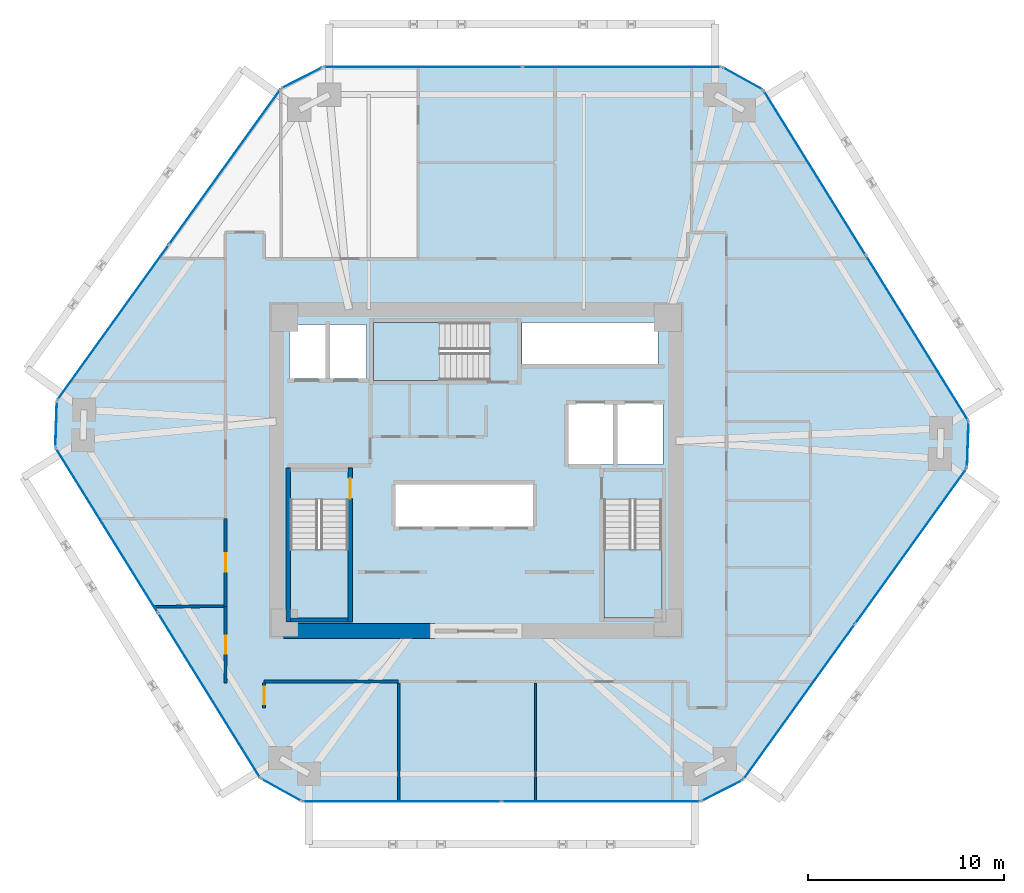
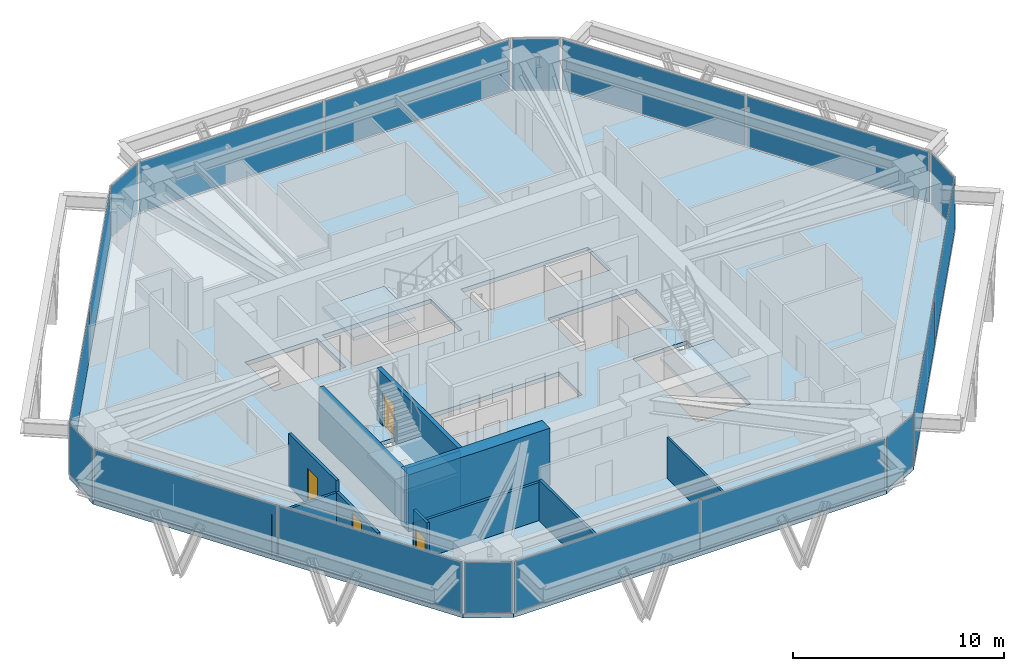
# One storey, part 9 of 14: 18 plates, 11 walls, 4 doors, 4 slabs, 4 openings, 15 elements without a shape of their own.
"""IFC4 building model written with IfcOpenShell, lengths in metres."""

from ifc_helpers import new_model, si_unit, direction, frame, frame_2d, origin, origin_2d, place, context, subcontext, project, spatial, polyline, rectangle, outline, extrude, source, transform, mapped, material, layer, layer_set, type_object, type_shapes, element, fill, aggregate, save


model = new_model("IFC4")

# Units and contexts
model_context = context("Model", 3, precision=1e-05, world=origin(), true_north=direction((0.0, 1.0)))
body_context = subcontext(model_context, "Body", "Model", "MODEL_VIEW")
ifc_project = project(units=[si_unit("LENGTHUNIT", "METRE"), si_unit("AREAUNIT", "SQUARE_METRE"), si_unit("VOLUMEUNIT", "CUBIC_METRE"), si_unit("PLANEANGLEUNIT", "RADIAN"), si_unit("MASSUNIT", "GRAM", prefix="KILO")], contexts=[model_context])

# Site, building, storey
site_placement = place(None, origin())
site = spatial("IfcSite", under=ifc_project, at=site_placement, CompositionType="ELEMENT")
building_placement = place(site_placement, origin())
building = spatial("IfcBuilding", under=site, at=building_placement, Name="Durnholm Broadcast Tower", CompositionType="ELEMENT")
storey_placement = place(building_placement, frame((0.0, 0.0, 107.39990234375)))
storey = spatial("IfcBuildingStorey", under=building, at=storey_placement, Name="L28", CompositionType="ELEMENT", Elevation=107.39990234375)

# Slab
ifc_material_1 = material(Name="Concrete C50/60", Category="concrete")
ifc_layer_1 = layer(ifc_material_1, 0.239990234375)
ifc_layer_set_1 = layer_set([ifc_layer_1], Name="Concrete C50/60")
slab_type_1 = type_object("IfcSlabType", Name="SLAB-FLR-240", PredefinedType="FLOOR", material=ifc_layer_set_1)
slab_1_placement = place(storey_placement, frame((0.0, 0.0, -0.239990234375)))
element("IfcSlab", 1, at=slab_1_placement, inside=storey, type_object=slab_type_1, Name="L28 structural floor slab", PredefinedType="FLOOR", context=body_context, shape_type="SweptSolid", body=[
    extrude(outline(polyline([(-11.012451171875, -15.77001953125), (-8.915283203125, -16.93701171875), (11.51416015625, -16.93701171875), (13.649658203125, -15.841796875), (25.11279296875, 0.114990234375), (25.1943359375, 2.513671875), (14.6904296875, 19.447998046875), (12.59326171875, 20.614990234375), (-7.836181640625, 20.614990234375), (-9.9716796875, 19.519775390625), (-21.434814453125, 3.56298828125), (-21.516357421875, 1.164306640625), (-11.012451171875, -15.77001953125)]), holes=[polyline([(-6.5400390625, -1.5), (-9.5, -1.5), (-9.5, -7.550048828125), (-6.5400390625, -7.550048828125), (-6.5400390625, -1.5)]), polyline([(9.5, -7.550048828125), (9.5, -1.5), (6.5400390625, -1.5), (6.5400390625, -7.550048828125), (9.5, -7.550048828125)]), polyline([(2.949951171875, -0.699951171875), (-4.14990234375, -0.699951171875), (-4.14990234375, -2.89990234375), (2.949951171875, -2.89990234375), (2.949951171875, -0.699951171875)]), polyline([(9.550048828125, 3.39990234375), (4.699951171875, 3.39990234375), (4.699951171875, 0.300048828125), (9.550048828125, 0.300048828125), (9.550048828125, 3.39990234375)]), polyline([(-5.60009765625, 7.449951171875), (-9.550048828125, 7.449951171875), (-9.550048828125, 4.699951171875), (-5.60009765625, 4.699951171875), (-5.60009765625, 7.449951171875)]), polyline([(-5.25, 4.60009765625), (0.699951171875, 4.60009765625), (0.699951171875, 7.56005859375), (-5.25, 7.56005859375), (-5.25, 4.60009765625)]), polyline([(9.31005859375, 7.550048828125), (2.35009765625, 7.550048828125), (2.35009765625, 5.39990234375), (9.31005859375, 5.39990234375), (9.31005859375, 7.550048828125)])]), origin(), (0.0, 0.0, 1.0), 0.239990234375),
])

# Stair, slab
stair_type = type_object("IfcStairType", Name="STAIR-DL-20R1650", PredefinedType="HALF_TURN_STAIR", material=ifc_material_1)
stair_1_placement = place(storey_placement, origin())
stair_1 = element("IfcStair", 2, at=stair_1_placement, inside=storey, type_object=stair_type, Name="L28 ST-1", PredefinedType="HALF_TURN_STAIR")
ifc_layer_2 = layer(ifc_material_1, 0.199951171875)
ifc_layer_set_2 = layer_set([ifc_layer_2], Name="Concrete C50/60")
slab_type_2 = type_object("IfcSlabType", Name="SLAB-LND-200", PredefinedType="LANDING", material=ifc_layer_set_2)
slab_2_placement = place(storey_placement, frame((0.0, 0.0, 1.4501953125)))
slab_2 = element("IfcSlab", 3, at=slab_2_placement, type_object=slab_type_2, Name="ST-1 landing 1", PredefinedType="LANDING", context=body_context, shape_type="SweptSolid", body=[
    extrude(outline(polyline([(-9.5, -4.06494140625), (-9.5, -7.550048828125), (-6.5400390625, -7.550048828125), (-6.5400390625, -4.06494140625), (-9.5, -4.06494140625)])), origin(), (0.0, 0.0, 1.0), 0.199951171875),
])
aggregate(stair_1, [slab_2])

stair_2_placement = place(storey_placement, origin())
stair_2 = element("IfcStair", 4, at=stair_2_placement, inside=storey, type_object=stair_type, Name="L28 ST-2", PredefinedType="HALF_TURN_STAIR")
slab_3_placement = place(storey_placement, frame((0.0, 0.0, 1.4501953125)))
slab_3 = element("IfcSlab", 5, at=slab_3_placement, type_object=slab_type_2, Name="ST-2 landing 1", PredefinedType="LANDING", context=body_context, shape_type="SweptSolid", body=[
    extrude(outline(polyline([(6.5400390625, -4.06494140625), (6.5400390625, -7.550048828125), (9.5, -7.550048828125), (9.5, -4.06494140625), (6.5400390625, -4.06494140625)])), origin(), (0.0, 0.0, 1.0), 0.199951171875),
])
aggregate(stair_2, [slab_3])

stair_3_placement = place(storey_placement, origin())
stair_3 = element("IfcStair", 6, at=stair_3_placement, inside=storey, type_object=stair_type, Name="L28 ST-3", PredefinedType="HALF_TURN_STAIR")
slab_4_placement = place(storey_placement, frame((0.0, 0.0, 1.4501953125)))
slab_4 = element("IfcSlab", 7, at=slab_4_placement, type_object=slab_type_2, Name="ST-3 landing 1", PredefinedType="LANDING", context=body_context, shape_type="SweptSolid", body=[
    extrude(outline(polyline([(-1.864990234375, 7.56005859375), (-5.25, 7.56005859375), (-5.25, 4.60009765625), (-1.864990234375, 4.60009765625), (-1.864990234375, 7.56005859375)])), origin(), (0.0, 0.0, 1.0), 0.199951171875),
])
aggregate(stair_3, [slab_4])

# Curtain wall, plate
ifc_material_2 = material(Name="Aluminium and Solar Control IGU", Category="aluminium")
ifc_layer_3 = layer(ifc_material_2, 0.1650390625)
ifc_layer_set_3 = layer_set([ifc_layer_3], Name="Aluminium and Solar Control IGU")
curtain_wall_type_1 = type_object("IfcCurtainWallType", Name="CW-SYS-5", PredefinedType="NOTDEFINED", material=ifc_layer_set_3)
curtain_wall_1_placement = place(storey_placement, origin())
curtain_wall_1 = element("IfcCurtainWall", 8, at=curtain_wall_1_placement, inside=storey, type_object=curtain_wall_type_1, Name="L28 curtain wall CW-CORNER CW-L28-CRN-01", PredefinedType="NOTDEFINED")
ifc_material_3 = material(Name="Low-E Laminated Insulating Glass", Category="glass")
ifc_layer_4 = layer(ifc_material_3, 0.030029296875)
ifc_layer_set_4 = layer_set([ifc_layer_4], Name="Low-E Laminated Insulating Glass")
plate_type_1 = type_object("IfcPlateType", Name="CW-SYS-5-PNL", PredefinedType="CURTAIN_PANEL", material=ifc_layer_set_4)
shared_shape_1 = source(origin(), body_context, "Body", "SweptSolid", [
    extrude(rectangle(XDim=2.27001953125, YDim=0.030029296875, at=origin_2d()), origin(), (0.0, 0.0, 1.0), 2.929931640625),
])
type_shapes(plate_type_1, [shared_shape_1])
plate_1_placement = place(storey_placement, frame((-21.4755859375, 2.36376953125, 0.06494140625), z_axis=(0.0, 0.0, 1.0), x_axis=(0.033916937775, 0.999424655155, 0.0)))
plate_1 = element("IfcPlate", 9, at=plate_1_placement, type_object=plate_type_1, Name="CW-CORNER panel 1.1", PredefinedType="CURTAIN_PANEL", context=body_context, shape_type="MappedRepresentation", body=[
    mapped(shared_shape_1, transform((0.0, 0.0, 0.0), x_axis=(1.0, 0.0, 0.0), y_axis=(0.0, 1.0, 0.0), z_axis=(0.0, 0.0, 1.0), scale=1.0)),
])
aggregate(curtain_wall_1, [plate_1])

curtain_wall_2_placement = place(storey_placement, origin())
curtain_wall_2 = element("IfcCurtainWall", 10, at=curtain_wall_2_placement, inside=storey, type_object=curtain_wall_type_1, Name="L28 curtain wall CW-CORNER CW-L28-CRN-03", PredefinedType="NOTDEFINED")
plate_2_placement = place(storey_placement, frame((-8.904052734375, 20.0673828125, 0.06494140625), z_axis=(0.0, 0.0, 1.0), x_axis=(0.889788396392, 0.45637332267, 0.0)))
plate_2 = element("IfcPlate", 11, at=plate_2_placement, type_object=plate_type_1, Name="CW-CORNER panel 1.1", PredefinedType="CURTAIN_PANEL", context=body_context, shape_type="MappedRepresentation", body=[
    mapped(shared_shape_1, transform((0.0, 0.0, 0.0), x_axis=(1.0, 0.0, 0.0), y_axis=(0.0, 1.0, 0.0), z_axis=(0.0, 0.0, 1.0), scale=1.0)),
])
aggregate(curtain_wall_2, [plate_2])

curtain_wall_3_placement = place(storey_placement, origin())
curtain_wall_3 = element("IfcCurtainWall", 12, at=curtain_wall_3_placement, inside=storey, type_object=curtain_wall_type_1, Name="L28 curtain wall CW-CORNER CW-L28-CRN-05", PredefinedType="NOTDEFINED")
plate_3_placement = place(storey_placement, frame((13.641845703125, 20.031494140625, 0.06494140625), z_axis=(0.0, 0.0, 1.0), x_axis=(0.873822953715, -0.486244224192, 0.0)))
plate_3 = element("IfcPlate", 13, at=plate_3_placement, type_object=plate_type_1, Name="CW-CORNER panel 1.1", PredefinedType="CURTAIN_PANEL", context=body_context, shape_type="MappedRepresentation", body=[
    mapped(shared_shape_1, transform((0.0, 0.0, 0.0), x_axis=(1.0, 0.0, 0.0), y_axis=(0.0, 1.0, 0.0), z_axis=(0.0, 0.0, 1.0), scale=1.0)),
])
aggregate(curtain_wall_3, [plate_3])

curtain_wall_4_placement = place(storey_placement, origin())
curtain_wall_4 = element("IfcCurtainWall", 14, at=curtain_wall_4_placement, inside=storey, type_object=curtain_wall_type_1, Name="L28 curtain wall CW-CORNER CW-L28-CRN-07", PredefinedType="NOTDEFINED")
plate_4_placement = place(storey_placement, frame((25.153564453125, 1.314208984375, 0.06494140625), z_axis=(0.0, 0.0, 1.0), x_axis=(-0.033916937775, -0.999424655155, 0.0)))
plate_4 = element("IfcPlate", 15, at=plate_4_placement, type_object=plate_type_1, Name="CW-CORNER panel 1.1", PredefinedType="CURTAIN_PANEL", context=body_context, shape_type="MappedRepresentation", body=[
    mapped(shared_shape_1, transform((0.0, 0.0, 0.0), x_axis=(1.0, 0.0, 0.0), y_axis=(0.0, 1.0, 0.0), z_axis=(0.0, 0.0, 1.0), scale=1.0)),
])
aggregate(curtain_wall_4, [plate_4])

curtain_wall_5_placement = place(storey_placement, origin())
curtain_wall_5 = element("IfcCurtainWall", 16, at=curtain_wall_5_placement, inside=storey, type_object=curtain_wall_type_1, Name="L28 curtain wall CW-CORNER CW-L28-CRN-09", PredefinedType="NOTDEFINED")
plate_5_placement = place(storey_placement, frame((12.58203125, -16.389404296875, 0.06494140625), z_axis=(0.0, 0.0, 1.0), x_axis=(-0.889788396392, -0.45637332267, 0.0)))
plate_5 = element("IfcPlate", 17, at=plate_5_placement, type_object=plate_type_1, Name="CW-CORNER panel 1.1", PredefinedType="CURTAIN_PANEL", context=body_context, shape_type="MappedRepresentation", body=[
    mapped(shared_shape_1, transform((0.0, 0.0, 0.0), x_axis=(1.0, 0.0, 0.0), y_axis=(0.0, 1.0, 0.0), z_axis=(0.0, 0.0, 1.0), scale=1.0)),
])
aggregate(curtain_wall_5, [plate_5])

curtain_wall_6_placement = place(storey_placement, origin())
curtain_wall_6 = element("IfcCurtainWall", 18, at=curtain_wall_6_placement, inside=storey, type_object=curtain_wall_type_1, Name="L28 curtain wall CW-CORNER CW-L28-CRN-11", PredefinedType="NOTDEFINED")
plate_6_placement = place(storey_placement, frame((-9.9638671875, -16.353515625, 0.06494140625), z_axis=(0.0, 0.0, 1.0), x_axis=(-0.873822953715, 0.486244224192, 0.0)))
plate_6 = element("IfcPlate", 19, at=plate_6_placement, type_object=plate_type_1, Name="CW-CORNER panel 1.1", PredefinedType="CURTAIN_PANEL", context=body_context, shape_type="MappedRepresentation", body=[
    mapped(shared_shape_1, transform((0.0, 0.0, 0.0), x_axis=(1.0, 0.0, 0.0), y_axis=(0.0, 1.0, 0.0), z_axis=(0.0, 0.0, 1.0), scale=1.0)),
])
aggregate(curtain_wall_6, [plate_6])

# Curtain wall, plates
ifc_layer_5 = layer(ifc_material_2, 0.18994140625)
ifc_layer_set_5 = layer_set([ifc_layer_5], Name="Aluminium and Solar Control IGU")
curtain_wall_type_2 = type_object("IfcCurtainWallType", Name="CW-SYS-3", PredefinedType="NOTDEFINED", material=ifc_layer_set_5)
curtain_wall_7_placement = place(storey_placement, origin())
curtain_wall_7 = element("IfcCurtainWall", 20, at=curtain_wall_7_placement, inside=storey, type_object=curtain_wall_type_2, Name="L28 curtain wall CW-Z12-VIS CW-L28-F02", PredefinedType="NOTDEFINED")
ifc_layer_6 = layer(ifc_material_3, 0.031982421875)
ifc_layer_set_6 = layer_set([ifc_layer_6], Name="Low-E Laminated Insulating Glass")
plate_type_2 = type_object("IfcPlateType", Name="CW-SYS-3-PNL", PredefinedType="CURTAIN_PANEL", material=ifc_layer_set_6)
shared_shape_2 = source(origin(), body_context, "Body", "SweptSolid", [
    extrude(rectangle(XDim=9.71875, YDim=0.031982421875, at=origin_2d()), origin(), (0.0, 0.0, 1.0), 2.919921875),
])
plate_7_placement = place(storey_placement, frame((-18.558837890625, 7.56640625, 0.070068359375), z_axis=(0.0, 0.0, 1.0), x_axis=(0.583445473786, 0.812152312759, 0.0)))
plate_7 = element("IfcPlate", 21, at=plate_7_placement, type_object=plate_type_2, Name="CW-Z12-VIS panel 1.1", PredefinedType="CURTAIN_PANEL", context=body_context, shape_type="MappedRepresentation", body=[
    mapped(shared_shape_2, transform((0.0, 0.0, 0.0), x_axis=(1.0, 0.0, 0.0), y_axis=(0.0, 1.0, 0.0), z_axis=(0.0, 0.0, 1.0), scale=1.0)),
])
plate_8_placement = place(storey_placement, frame((-12.84765625, 15.516357421875, 0.070068359375), z_axis=(0.0, 0.0, 1.0), x_axis=(0.583445473786, 0.812152312759, 0.0)))
plate_8 = element("IfcPlate", 22, at=plate_8_placement, type_object=plate_type_2, Name="CW-Z12-VIS panel 2.1", PredefinedType="CURTAIN_PANEL", context=body_context, shape_type="MappedRepresentation", body=[
    mapped(shared_shape_2, transform((0.0, 0.0, 0.0), x_axis=(1.0, 0.0, 0.0), y_axis=(0.0, 1.0, 0.0), z_axis=(0.0, 0.0, 1.0), scale=1.0)),
])
aggregate(curtain_wall_7, [plate_7, plate_8])

curtain_wall_8_placement = place(storey_placement, origin())
curtain_wall_8 = element("IfcCurtainWall", 23, at=curtain_wall_8_placement, inside=storey, type_object=curtain_wall_type_2, Name="L28 curtain wall CW-Z12-VIS CW-L28-F08", PredefinedType="NOTDEFINED")
plate_9_placement = place(storey_placement, frame((22.23681640625, -3.888427734375, 0.070068359375), z_axis=(0.0, 0.0, 1.0), x_axis=(-0.583445473786, -0.812152312759, 0.0)))
plate_9 = element("IfcPlate", 24, at=plate_9_placement, type_object=plate_type_2, Name="CW-Z12-VIS panel 1.1", PredefinedType="CURTAIN_PANEL", context=body_context, shape_type="MappedRepresentation", body=[
    mapped(shared_shape_2, transform((0.0, 0.0, 0.0), x_axis=(1.0, 0.0, 0.0), y_axis=(0.0, 1.0, 0.0), z_axis=(0.0, 0.0, 1.0), scale=1.0)),
])
plate_10_placement = place(storey_placement, frame((16.525634765625, -11.83837890625, 0.070068359375), z_axis=(0.0, 0.0, 1.0), x_axis=(-0.583445473786, -0.812152312759, 0.0)))
plate_10 = element("IfcPlate", 25, at=plate_10_placement, type_object=plate_type_2, Name="CW-Z12-VIS panel 2.1", PredefinedType="CURTAIN_PANEL", context=body_context, shape_type="MappedRepresentation", body=[
    mapped(shared_shape_2, transform((0.0, 0.0, 0.0), x_axis=(1.0, 0.0, 0.0), y_axis=(0.0, 1.0, 0.0), z_axis=(0.0, 0.0, 1.0), scale=1.0)),
])
aggregate(curtain_wall_8, [plate_9, plate_10])

curtain_wall_9_placement = place(storey_placement, origin())
curtain_wall_9 = element("IfcCurtainWall", 26, at=curtain_wall_9_placement, inside=storey, type_object=curtain_wall_type_2, Name="L28 curtain wall CW-Z12-VIS CW-L28-F04", PredefinedType="NOTDEFINED")
shared_shape_3 = source(origin(), body_context, "Body", "SweptSolid", [
    extrude(rectangle(XDim=10.109619140625, YDim=0.031982421875, at=origin_2d()), origin(), (0.0, 0.0, 1.0), 2.919921875),
])
plate_11_placement = place(storey_placement, frame((-2.71142578125, 20.614990234375, 0.070068359375), z_axis=(0.0, 0.0, 1.0), x_axis=(1.0, 0.0, 0.0)))
plate_11 = element("IfcPlate", 27, at=plate_11_placement, type_object=plate_type_2, Name="CW-Z12-VIS panel 1.1", PredefinedType="CURTAIN_PANEL", context=body_context, shape_type="MappedRepresentation", body=[
    mapped(shared_shape_3, transform((0.0, 0.0, 0.0), x_axis=(1.0, 0.0, 0.0), y_axis=(0.0, 1.0, 0.0), z_axis=(0.0, 0.0, 1.0), scale=1.0)),
])
plate_12_placement = place(storey_placement, frame((7.46826171875, 20.614990234375, 0.070068359375), z_axis=(0.0, 0.0, 1.0), x_axis=(1.0, 0.0, 0.0)))
plate_12 = element("IfcPlate", 28, at=plate_12_placement, type_object=plate_type_2, Name="CW-Z12-VIS panel 2.1", PredefinedType="CURTAIN_PANEL", context=body_context, shape_type="MappedRepresentation", body=[
    mapped(shared_shape_3, transform((0.0, 0.0, 0.0), x_axis=(1.0, 0.0, 0.0), y_axis=(0.0, 1.0, 0.0), z_axis=(0.0, 0.0, 1.0), scale=1.0)),
])
aggregate(curtain_wall_9, [plate_11, plate_12])

curtain_wall_10_placement = place(storey_placement, origin())
curtain_wall_10 = element("IfcCurtainWall", 29, at=curtain_wall_10_placement, inside=storey, type_object=curtain_wall_type_2, Name="L28 curtain wall CW-Z12-VIS CW-L28-F10", PredefinedType="NOTDEFINED")
plate_13_placement = place(storey_placement, frame((6.389404296875, -16.93701171875, 0.070068359375), z_axis=(0.0, 0.0, 1.0), x_axis=(-1.0, 0.0, 0.0)))
plate_13 = element("IfcPlate", 30, at=plate_13_placement, type_object=plate_type_2, Name="CW-Z12-VIS panel 1.1", PredefinedType="CURTAIN_PANEL", context=body_context, shape_type="MappedRepresentation", body=[
    mapped(shared_shape_3, transform((0.0, 0.0, 0.0), x_axis=(1.0, 0.0, 0.0), y_axis=(0.0, 1.0, 0.0), z_axis=(0.0, 0.0, 1.0), scale=1.0)),
])
plate_14_placement = place(storey_placement, frame((-3.790283203125, -16.93701171875, 0.070068359375), z_axis=(0.0, 0.0, 1.0), x_axis=(-1.0, 0.0, 0.0)))
plate_14 = element("IfcPlate", 31, at=plate_14_placement, type_object=plate_type_2, Name="CW-Z12-VIS panel 2.1", PredefinedType="CURTAIN_PANEL", context=body_context, shape_type="MappedRepresentation", body=[
    mapped(shared_shape_3, transform((0.0, 0.0, 0.0), x_axis=(1.0, 0.0, 0.0), y_axis=(0.0, 1.0, 0.0), z_axis=(0.0, 0.0, 1.0), scale=1.0)),
])
aggregate(curtain_wall_10, [plate_13, plate_14])

curtain_wall_11_placement = place(storey_placement, origin())
curtain_wall_11 = element("IfcCurtainWall", 32, at=curtain_wall_11_placement, inside=storey, type_object=curtain_wall_type_2, Name="L28 curtain wall CW-Z12-VIS CW-L28-F06", PredefinedType="NOTDEFINED")
shared_shape_4 = source(origin(), body_context, "Body", "SweptSolid", [
    extrude(rectangle(XDim=9.858642578125, YDim=0.031982421875, at=origin_2d()), origin(), (0.0, 0.0, 1.0), 2.919921875),
])
type_shapes(plate_type_2, [shared_shape_2, shared_shape_3, shared_shape_4])
plate_15_placement = place(storey_placement, frame((17.32568359375, 15.199462890625, 0.070068359375), z_axis=(0.0, 0.0, 1.0), x_axis=(0.527105385176, -0.849799925229, 0.0)))
plate_15 = element("IfcPlate", 33, at=plate_15_placement, type_object=plate_type_2, Name="CW-Z12-VIS panel 1.1", PredefinedType="CURTAIN_PANEL", context=body_context, shape_type="MappedRepresentation", body=[
    mapped(shared_shape_4, transform((0.0, 0.0, 0.0), x_axis=(1.0, 0.0, 0.0), y_axis=(0.0, 1.0, 0.0), z_axis=(0.0, 0.0, 1.0), scale=1.0)),
])
plate_16_placement = place(storey_placement, frame((22.55908203125, 6.761962890625, 0.070068359375), z_axis=(0.0, 0.0, 1.0), x_axis=(0.527105385176, -0.849799925229, 0.0)))
plate_16 = element("IfcPlate", 34, at=plate_16_placement, type_object=plate_type_2, Name="CW-Z12-VIS panel 2.1", PredefinedType="CURTAIN_PANEL", context=body_context, shape_type="MappedRepresentation", body=[
    mapped(shared_shape_4, transform((0.0, 0.0, 0.0), x_axis=(1.0, 0.0, 0.0), y_axis=(0.0, 1.0, 0.0), z_axis=(0.0, 0.0, 1.0), scale=1.0)),
])
aggregate(curtain_wall_11, [plate_15, plate_16])

curtain_wall_12_placement = place(storey_placement, origin())
curtain_wall_12 = element("IfcCurtainWall", 35, at=curtain_wall_12_placement, inside=storey, type_object=curtain_wall_type_2, Name="L28 curtain wall CW-Z12-VIS CW-L28-F12", PredefinedType="NOTDEFINED")
plate_17_placement = place(storey_placement, frame((-13.647705078125, -11.521484375, 0.070068359375), z_axis=(0.0, 0.0, 1.0), x_axis=(-0.527105385176, 0.849799925229, 0.0)))
plate_17 = element("IfcPlate", 36, at=plate_17_placement, type_object=plate_type_2, Name="CW-Z12-VIS panel 1.1", PredefinedType="CURTAIN_PANEL", context=body_context, shape_type="MappedRepresentation", body=[
    mapped(shared_shape_4, transform((0.0, 0.0, 0.0), x_axis=(1.0, 0.0, 0.0), y_axis=(0.0, 1.0, 0.0), z_axis=(0.0, 0.0, 1.0), scale=1.0)),
])
plate_18_placement = place(storey_placement, frame((-18.881103515625, -3.083984375, 0.070068359375), z_axis=(0.0, 0.0, 1.0), x_axis=(-0.527105385176, 0.849799925229, 0.0)))
plate_18 = element("IfcPlate", 37, at=plate_18_placement, type_object=plate_type_2, Name="CW-Z12-VIS panel 2.1", PredefinedType="CURTAIN_PANEL", context=body_context, shape_type="MappedRepresentation", body=[
    mapped(shared_shape_4, transform((0.0, 0.0, 0.0), x_axis=(1.0, 0.0, 0.0), y_axis=(0.0, 1.0, 0.0), z_axis=(0.0, 0.0, 1.0), scale=1.0)),
])
aggregate(curtain_wall_12, [plate_17, plate_18])

# Walls
ifc_material_4 = material(Name="Concrete C70/85", Category="concrete")
ifc_layer_7 = layer(ifc_material_4, 0.75)
ifc_layer_set_7 = layer_set([ifc_layer_7], Name="Concrete C70/85")
wall_type_1 = type_object("IfcWallType", Name="WALL-CW-750", PredefinedType="SHEAR", material=ifc_layer_set_7)
wall_1_placement = place(storey_placement, frame((-9.85009765625, -8.22509765625, 0.0), z_axis=(0.0, 0.0, 1.0), x_axis=(1.0, 0.0, 0.0)))
element("IfcWall", 38, at=wall_1_placement, inside=storey, type_object=wall_type_1, Name="L28 central core shear wall CW-S1", PredefinedType="SHEAR", context=body_context, shape_type="SweptSolid", body=[
    extrude(rectangle(XDim=7.75, YDim=0.75, at=frame_2d((3.875, 0.0))), origin(), (0.0, 0.0, 1.0), 3.300048828125),
])
ifc_material_5 = material(Name="Operable Acoustic Panel Partition", Category="aluminium")
ifc_layer_8 = layer(ifc_material_5, 0.110107421875)
ifc_layer_set_8 = layer_set([ifc_layer_8], Name="Operable Acoustic Panel Partition")
wall_type_2 = type_object("IfcWallType", Name="WALL-MOV-110", PredefinedType="MOVABLE", material=ifc_layer_set_8)
wall_2_placement = place(storey_placement, frame((3.0400390625, -10.888916015625, 0.0), z_axis=(0.0, 0.0, 1.0), x_axis=(0.0, -1.0, 0.0)))
element("IfcWall", 39, at=wall_2_placement, inside=storey, type_object=wall_type_2, Name="L28 room dividing partition 18.19", PredefinedType="MOVABLE", context=body_context, shape_type="SweptSolid", body=[
    extrude(rectangle(XDim=6.048095703125, YDim=0.110107421875, at=frame_2d((3.02392578125, 0.0))), origin(), (0.0, 0.0, 1.0), 2.380126953125),
])
ifc_material_6 = material(Name="Gypsum Metal Stud Partition", Category="concrete")
ifc_layer_9 = layer(ifc_material_6, 0.135009765625)
ifc_layer_set_9 = layer_set([ifc_layer_9], Name="Gypsum Metal Stud Partition")
wall_type_3 = type_object("IfcWallType", Name="WALL-PART-135", PredefinedType="PARTITIONING", material=ifc_layer_set_9)
wall_3_placement = place(storey_placement, frame((-3.9599609375, -10.888916015625, 0.0), z_axis=(0.0, 0.0, 1.0), x_axis=(0.0, -1.0, 0.0)))
element("IfcWall", 40, at=wall_3_placement, inside=storey, type_object=wall_type_3, Name="L28 room dividing partition 17.18", PredefinedType="PARTITIONING", context=body_context, shape_type="SweptSolid", body=[
    extrude(rectangle(XDim=6.048095703125, YDim=0.135009765625, at=frame_2d((3.02392578125, 0.0))), origin(), (0.0, 0.0, 1.0), 2.380126953125),
])
wall_4_placement = place(storey_placement, frame((-16.4638671875, -6.981201171875, 0.0), z_axis=(0.0, 0.0, 1.0), x_axis=(0.99998315245, 0.005804723619, 0.0)))
element("IfcWall", 41, at=wall_4_placement, inside=storey, type_object=wall_type_3, Name="L28 room dividing partition 21.22", PredefinedType="PARTITIONING", context=body_context, shape_type="SweptSolid", body=[
    extrude(rectangle(XDim=3.574951171875, YDim=0.135009765625, at=frame_2d((1.78759765625, 0.0))), origin(), (0.0, 0.0, 1.0), 2.380126953125),
])
ifc_material_7 = material(Name="Acoustic Gypsum Stud Partition", Category="concrete")
ifc_layer_10 = layer(ifc_material_7, 0.14990234375)
ifc_layer_set_10 = layer_set([ifc_layer_10], Name="Acoustic Gypsum Stud Partition")
wall_type_4 = type_object("IfcWallType", Name="WALL-PART-150", PredefinedType="PARTITIONING", material=ifc_layer_set_10)
wall_5_placement = place(storey_placement, frame((-10.840087890625, -10.81005859375, 0.0), z_axis=(0.0, 0.0, 1.0), x_axis=(1.0, 0.0, 0.0)))
element("IfcWall", 42, at=wall_5_placement, inside=storey, type_object=wall_type_4, Name="L28 Post Producer Office corridor partition", PredefinedType="PARTITIONING", context=body_context, shape_type="SweptSolid", body=[
    extrude(rectangle(XDim=6.880126953125, YDim=0.14990234375, at=frame_2d((3.43994140625, 0.0))), origin(), (0.0, 0.0, 1.0), 2.212158203125),
])

# Wall, opening, door
wall_6_placement = place(storey_placement, frame((-10.840087890625, -12.159912109375, 0.0), z_axis=(0.0, 0.0, 1.0), x_axis=(0.0, 1.0, 0.0)))
wall_6 = element("IfcWall", 43, at=wall_6_placement, inside=storey, type_object=wall_type_4, Name="L28 Post Producer Office corridor partition", PredefinedType="PARTITIONING", context=body_context, shape_type="SweptSolid", body=[
    extrude(rectangle(XDim=1.27099609375, YDim=0.14990234375, at=frame_2d((0.635498046875, 0.0))), origin(), (0.0, 0.0, 1.0), 3.045166015625),
])
opening_1_placement = place(wall_6_placement, frame((0.185546875, 0.0, 0.0)))
opening_1 = element("IfcOpeningElement", 44, at=opening_1_placement, cuts=wall_6, Name="Opening DW-90R", PredefinedType="OPENING", context=body_context, shape_type="SweptSolid", body=[
    extrude(rectangle(XDim=0.89990234375, YDim=2.050048828125, at=frame_2d((0.449951171875, 1.02490234375))), frame((0.0, 0.0849609375, 0.0), z_axis=(0.0, -1.0, 0.0), x_axis=(1.0, 0.0, 0.0)), (0.0, 0.0, 1.0), 0.169921875),
])
ifc_material_8 = material(Name="Laminate Restroom Door", Category="steel")
ifc_layer_11 = layer(ifc_material_8, 0.050048828125)
ifc_layer_set_11 = layer_set([ifc_layer_11], Name="Laminate Restroom Door")
door_type_1 = type_object("IfcDoorType", Name="DOOR-WC-900R", OperationType="NOTDEFINED", PredefinedType="DOOR", material=ifc_layer_set_11)
shared_shape_5 = source(origin(), body_context, "Body", "SweptSolid", [
    extrude(rectangle(XDim=0.89990234375, YDim=2.050048828125, at=frame_2d((0.449951171875, 1.02490234375))), frame((0.0, 0.02490234375, 0.0), z_axis=(0.0, -1.0, 0.0), x_axis=(1.0, 0.0, 0.0)), (0.0, 0.0, 1.0), 0.050048828125),
])
type_shapes(door_type_1, [shared_shape_5])
door_1_placement = place(opening_1_placement, origin())
door_1 = element("IfcDoor", 45, at=door_1_placement, inside=storey, type_object=door_type_1, Name="L28 Post Producer Office entrance door", OperationType="SINGLE_SWING_RIGHT", OverallHeight=2.050048828125, OverallWidth=0.89990234375, PredefinedType="DOOR", context=body_context, shape_type="MappedRepresentation", body=[
    mapped(shared_shape_5, transform((0.0, 0.0, 0.0), x_axis=(1.0, 0.0, 0.0), y_axis=(0.0, 1.0, 0.0), z_axis=(0.0, 0.0, 1.0), scale=1.0)),
])
fill(opening_1, door_1)

wall_7_placement = place(storey_placement, frame((-12.81005859375, -6.9599609375, 0.0), z_axis=(0.0, 0.0, 1.0), x_axis=(0.0, -1.0, 0.0)))
wall_7 = element("IfcWall", 46, at=wall_7_placement, inside=storey, type_object=wall_type_4, Name="L28 VFX Office 2 corridor partition", PredefinedType="PARTITIONING", context=body_context, shape_type="SweptSolid", body=[
    extrude(rectangle(XDim=3.929931640625, YDim=0.14990234375, at=frame_2d((1.96484375, 0.0))), origin(), (0.0, 0.0, 1.0), 2.380126953125),
])
opening_2_placement = place(wall_7_placement, frame((1.5048828125, 0.0, 0.0)))
opening_2 = element("IfcOpeningElement", 47, at=opening_2_placement, cuts=wall_7, Name="Opening DR-92R", PredefinedType="OPENING", context=body_context, shape_type="SweptSolid", body=[
    extrude(rectangle(XDim=0.919921875, YDim=2.10009765625, at=frame_2d((0.4599609375, 1.050048828125))), frame((0.0, 0.0849609375, 0.0), z_axis=(0.0, -1.0, 0.0), x_axis=(1.0, 0.0, 0.0)), (0.0, 0.0, 1.0), 0.169921875),
])
ifc_material_9 = material(Name="Oak Veneer Office Door", Category="wood")
ifc_layer_12 = layer(ifc_material_9, 0.050048828125)
ifc_layer_set_12 = layer_set([ifc_layer_12], Name="Oak Veneer Office Door")
door_type_2 = type_object("IfcDoorType", Name="DOOR-RM-920R", OperationType="NOTDEFINED", PredefinedType="DOOR", material=ifc_layer_set_12)
shared_shape_6 = source(origin(), body_context, "Body", "SweptSolid", [
    extrude(rectangle(XDim=0.919921875, YDim=2.10009765625, at=frame_2d((0.4599609375, 1.050048828125))), frame((0.0, 0.02490234375, 0.0), z_axis=(0.0, -1.0, 0.0), x_axis=(1.0, 0.0, 0.0)), (0.0, 0.0, 1.0), 0.050048828125),
])
type_shapes(door_type_2, [shared_shape_6])
door_2_placement = place(opening_2_placement, origin())
door_2 = element("IfcDoor", 48, at=door_2_placement, inside=storey, type_object=door_type_2, Name="L28 VFX Office 2 entrance door", OperationType="SINGLE_SWING_RIGHT", OverallHeight=2.10009765625, OverallWidth=0.919921875, PredefinedType="DOOR", context=body_context, shape_type="MappedRepresentation", body=[
    mapped(shared_shape_6, transform((0.0, 0.0, 0.0), x_axis=(1.0, 0.0, 0.0), y_axis=(0.0, 1.0, 0.0), z_axis=(0.0, 0.0, 1.0), scale=1.0)),
])
fill(opening_2, door_2)

wall_8_placement = place(storey_placement, frame((-12.81005859375, -2.4599609375, 0.0), z_axis=(0.0, 0.0, 1.0), x_axis=(0.0, -1.0, 0.0)))
wall_8 = element("IfcWall", 49, at=wall_8_placement, inside=storey, type_object=wall_type_4, Name="L28 ADR Office corridor partition", PredefinedType="PARTITIONING", context=body_context, shape_type="SweptSolid", body=[
    extrude(rectangle(XDim=4.5, YDim=0.14990234375, at=frame_2d((2.25, 0.0))), origin(), (0.0, 0.0, 1.0), 3.045166015625),
])
opening_3_placement = place(wall_8_placement, frame((1.77490234375, 0.0, 0.0)))
opening_3 = element("IfcOpeningElement", 50, at=opening_3_placement, cuts=wall_8, Name="Opening DR-95L", PredefinedType="OPENING", context=body_context, shape_type="SweptSolid", body=[
    extrude(rectangle(XDim=0.949951171875, YDim=2.10009765625, at=frame_2d((0.47509765625, 1.050048828125))), frame((0.0, 0.0849609375, 0.0), z_axis=(0.0, -1.0, 0.0), x_axis=(1.0, 0.0, 0.0)), (0.0, 0.0, 1.0), 0.169921875),
])
ifc_material_10 = material(Name="Acoustic Oak Veneer Timber Door", Category="wood")
ifc_layer_13 = layer(ifc_material_10, 0.050048828125)
ifc_layer_set_13 = layer_set([ifc_layer_13], Name="Acoustic Oak Veneer Timber Door")
door_type_3 = type_object("IfcDoorType", Name="DOOR-RM-950L", OperationType="NOTDEFINED", PredefinedType="DOOR", material=ifc_layer_set_13)
shared_shape_7 = source(origin(), body_context, "Body", "SweptSolid", [
    extrude(rectangle(XDim=0.949951171875, YDim=2.10009765625, at=frame_2d((0.47509765625, 1.050048828125))), frame((0.0, 0.02490234375, 0.0), z_axis=(0.0, -1.0, 0.0), x_axis=(1.0, 0.0, 0.0)), (0.0, 0.0, 1.0), 0.050048828125),
])
type_shapes(door_type_3, [shared_shape_7])
door_3_placement = place(opening_3_placement, origin())
door_3 = element("IfcDoor", 51, at=door_3_placement, inside=storey, type_object=door_type_3, Name="L28 ADR Office entrance door", OperationType="SINGLE_SWING_LEFT", OverallHeight=2.10009765625, OverallWidth=0.949951171875, PredefinedType="DOOR", context=body_context, shape_type="MappedRepresentation", body=[
    mapped(shared_shape_7, transform((0.0, 0.0, 0.0), x_axis=(1.0, 0.0, 0.0), y_axis=(0.0, 1.0, 0.0), z_axis=(0.0, 0.0, 1.0), scale=1.0)),
])
fill(opening_3, door_3)

ifc_layer_14 = layer(ifc_material_1, 0.219970703125)
ifc_layer_set_14 = layer_set([ifc_layer_14], Name="Concrete C50/60")
wall_type_5 = type_object("IfcWallType", Name="WALL-SW-220", PredefinedType="SHEAR", material=ifc_layer_set_14)
wall_9_placement = place(storey_placement, frame((-6.429931640625, -7.77001953125, -0.239990234375), z_axis=(0.0, 0.0, 1.0), x_axis=(0.0, 1.0, 0.0)))
wall_9 = element("IfcWall", 52, at=wall_9_placement, inside=storey, type_object=wall_type_5, Name="L28 stair ST-1 structural shaft wall E", PredefinedType="SHEAR", context=body_context, shape_type="SweptSolid", body=[
    extrude(rectangle(XDim=7.89013671875, YDim=0.219970703125, at=frame_2d((3.945068359375, 0.0))), origin(), (0.0, 0.0, 1.0), 3.300048828125),
])
opening_4_placement = place(wall_9_placement, frame((6.320068359375, 0.0, 0.0)))
opening_4 = element("IfcOpeningElement", 53, at=opening_4_placement, cuts=wall_9, Name="Opening DS-90L", PredefinedType="OPENING", context=body_context, shape_type="SweptSolid", body=[
    extrude(rectangle(XDim=1.050048828125, YDim=2.14990234375, at=frame_2d((0.52490234375, 1.074951171875))), frame((0.0, 0.1201171875, 0.0), z_axis=(0.0, -1.0, 0.0), x_axis=(1.0, 0.0, 0.0)), (0.0, 0.0, 1.0), 0.239990234375),
])
ifc_material_11 = material(Name="Fire-Rated Steel Door", Category="steel")
ifc_layer_15 = layer(ifc_material_11, 0.050048828125)
ifc_layer_set_15 = layer_set([ifc_layer_15], Name="Fire-Rated Steel Door")
door_type_4 = type_object("IfcDoorType", Name="DOOR-ST-FD90-L", OperationType="NOTDEFINED", PredefinedType="DOOR", material=ifc_layer_set_15)
shared_shape_8 = source(origin(), body_context, "Body", "SweptSolid", [
    extrude(rectangle(XDim=1.050048828125, YDim=2.14990234375, at=frame_2d((0.52490234375, 1.074951171875))), frame((0.0, 0.02490234375, 0.0), z_axis=(0.0, -1.0, 0.0), x_axis=(1.0, 0.0, 0.0)), (0.0, 0.0, 1.0), 0.050048828125),
])
type_shapes(door_type_4, [shared_shape_8])
door_4_placement = place(opening_4_placement, origin())
door_4 = element("IfcDoor", 54, at=door_4_placement, inside=storey, type_object=door_type_4, Name="L28 exit stair ST-1 fire door", OperationType="SINGLE_SWING_LEFT", OverallHeight=2.14990234375, OverallWidth=1.050048828125, PredefinedType="DOOR", context=body_context, shape_type="MappedRepresentation", body=[
    mapped(shared_shape_8, transform((0.0, 0.0, 0.0), x_axis=(1.0, 0.0, 0.0), y_axis=(0.0, 1.0, 0.0), z_axis=(0.0, 0.0, 1.0), scale=1.0)),
])
fill(opening_4, door_4)

# Walls
wall_10_placement = place(storey_placement, frame((-9.610107421875, 0.1201171875, -0.239990234375), z_axis=(0.0, 0.0, 1.0), x_axis=(0.0, -1.0, 0.0)))
element("IfcWall", 55, at=wall_10_placement, inside=storey, type_object=wall_type_5, Name="L28 stair ST-1 structural shaft wall W", PredefinedType="SHEAR", context=body_context, shape_type="SweptSolid", body=[
    extrude(rectangle(XDim=7.89013671875, YDim=0.219970703125, at=frame_2d((3.945068359375, 0.0))), origin(), (0.0, 0.0, 1.0), 3.300048828125),
])
wall_11_placement = place(storey_placement, frame((-9.5, -7.659912109375, -0.239990234375), z_axis=(0.0, 0.0, 1.0), x_axis=(1.0, 0.0, 0.0)))
element("IfcWall", 56, at=wall_11_placement, inside=storey, type_object=wall_type_5, Name="L28 stair ST-1 structural shaft wall S", PredefinedType="SHEAR", context=body_context, shape_type="SweptSolid", body=[
    extrude(rectangle(XDim=2.9599609375, YDim=0.219970703125, at=frame_2d((1.47998046875, 0.0))), origin(), (0.0, 0.0, 1.0), 3.300048828125),
])

save(model, "model.ifc")
